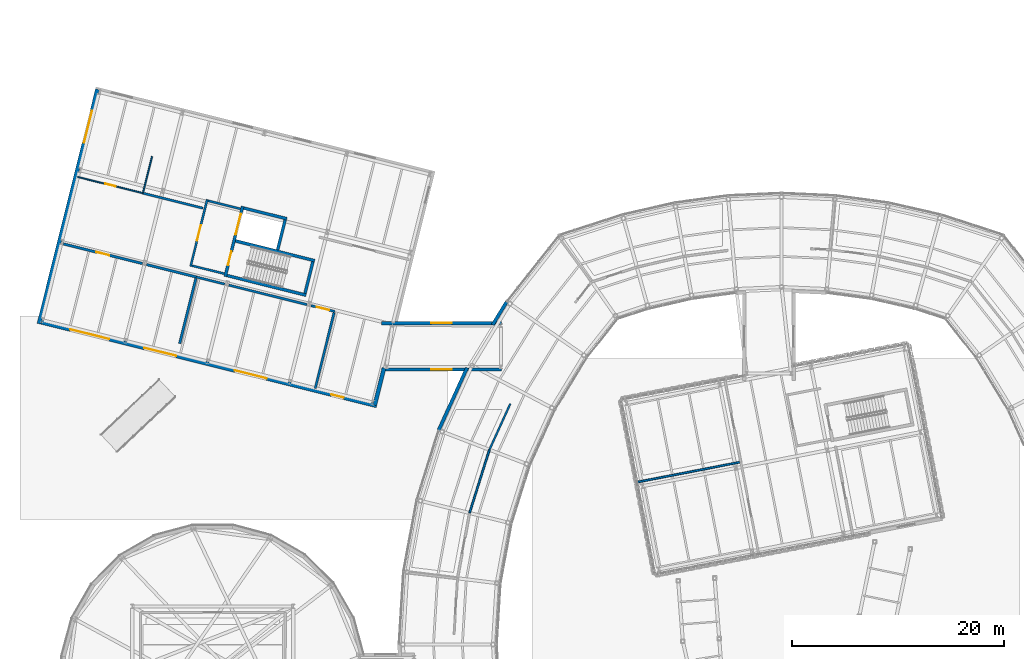
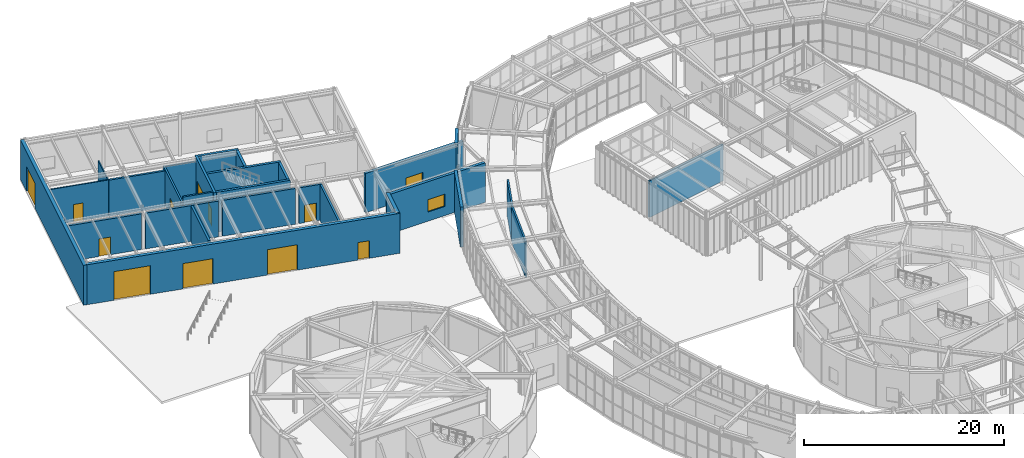
# One storey, part 75 of 97: 29 walls, 11 doors, 2 windows, 13 openings.
"""IFC4 building model written with IfcOpenShell, lengths in metres."""

from ifc_helpers import new_model, si_unit, direction, frame, frame_2d, origin, place, context, subcontext, project, spatial, rectangle, extrude, material, layer, layer_set, type_object, element, fill, save


model = new_model("IFC4")

# Units and contexts
model_context = context("Model", 3, precision=1e-05, world=origin(), true_north=direction((0.0, 1.0)))
body_context = subcontext(model_context, "Body", "Model", "MODEL_VIEW")
ifc_project = project(units=[si_unit("LENGTHUNIT", "METRE"), si_unit("AREAUNIT", "SQUARE_METRE"), si_unit("VOLUMEUNIT", "CUBIC_METRE"), si_unit("PLANEANGLEUNIT", "RADIAN"), si_unit("MASSUNIT", "GRAM", prefix="KILO")], contexts=[model_context])

# Site, building, storey
site_placement = place(None, origin())
site = spatial("IfcSite", under=ifc_project, at=site_placement, CompositionType="ELEMENT")
building_placement = place(site_placement, origin())
building = spatial("IfcBuilding", under=site, at=building_placement, Name="Varnklinge Art Gallery", CompositionType="ELEMENT")
storey_placement = place(building_placement, origin())
storey = spatial("IfcBuildingStorey", under=building, at=storey_placement, Name="L00", CompositionType="ELEMENT", Elevation=0.0)

# Walls
ifc_material_1 = material(Name="Precast concrete C40/50", Category="concrete")
ifc_layer_1 = layer(ifc_material_1, 0.320068359375)
ifc_layer_set_1 = layer_set([ifc_layer_1], Name="Precast concrete C40/50")
wall_type_1 = type_object("IfcWallType", Name="EW-32", PredefinedType="SOLIDWALL", material=ifc_layer_set_1)
wall_1_placement = place(storey_placement, frame((48.223388671875, 85.179931640625, 0.0), z_axis=(0.0, 0.0, 1.0), x_axis=(0.520931481082, 0.853598495792, 0.0)))
element("IfcWall", 1, at=wall_1_placement, inside=storey, type_object=wall_type_1, Name="EW-V2O-L00-K21-1", PredefinedType="SOLIDWALL", context=body_context, shape_type="SweptSolid", body=[
    extrude(rectangle(XDim=2.571533203125, YDim=0.320068359375, at=frame_2d((1.28564453125, 0.0))), origin(), (0.0, 0.0, 1.0), 4.8798828125),
])
wall_2_placement = place(storey_placement, frame((43.126708984375, 75.22216796875, 0.0), z_axis=(0.0, 0.0, 1.0), x_axis=(0.41336840626, 0.910563869647, 0.0)))
element("IfcWall", 2, at=wall_2_placement, inside=storey, type_object=wall_type_1, Name="EW-V2O-L00-K22-1", PredefinedType="SOLIDWALL", context=body_context, shape_type="SweptSolid", body=[
    extrude(rectangle(XDim=6.477294921875, YDim=0.320068359375, at=frame_2d((3.23876953125, 0.0))), origin(), (0.0, 0.0, 1.0), 4.8798828125),
])

# Wall, opening, window
wall_3_placement = place(storey_placement, frame((49.050048828125, 80.9599609375, 0.0), z_axis=(0.0, 0.0, 1.0), x_axis=(-1.0, 0.0, 0.0)))
wall_3 = element("IfcWall", 3, at=wall_3_placement, inside=storey, type_object=wall_type_1, Name="L00 Gallery Link Wall EW-LNK-V5-L00-S", PredefinedType="SOLIDWALL", context=body_context, shape_type="SweptSolid", body=[
    extrude(rectangle(XDim=11.31201171875, YDim=0.320068359375, at=frame_2d((5.656005859375, 0.0))), origin(), (0.0, 0.0, 1.0), 4.820068359375),
])
opening_1_placement = place(wall_3_placement, frame((4.680908203125, 0.0, 1.1201171875)))
opening_1 = element("IfcOpeningElement", 4, at=opening_1_placement, cuts=wall_3, Name="Opening WN-05", PredefinedType="OPENING", context=body_context, shape_type="SweptSolid", body=[
    extrude(rectangle(XDim=1.949951171875, YDim=1.5, at=frame_2d((0.97509765625, 0.75))), frame((0.0, 0.170166015625, 0.0), z_axis=(0.0, -1.0, 0.0), x_axis=(1.0, 0.0, 0.0)), (0.0, 0.0, 1.0), 0.340087890625),
])
ifc_material_2 = material(Name="Insulated Low-E Triple Glazing", Category="glass")
window_type = type_object("IfcWindowType", Name="WN-05", PartitioningType="SINGLE_PANEL", PredefinedType="WINDOW", material=ifc_material_2)
window_1_placement = place(opening_1_placement, origin())
window_1 = element("IfcWindow", 5, at=window_1_placement, inside=storey, type_object=window_type, Name="L00 Window WIN-L00-229", OverallHeight=1.5, OverallWidth=1.949951171875, PartitioningType="SINGLE_PANEL", PredefinedType="WINDOW", context=body_context, shape_type="SweptSolid", body=[
    extrude(rectangle(XDim=1.949951171875, YDim=1.5, at=frame_2d((0.97509765625, 0.75))), frame((0.0, 0.030029296875, 0.0), z_axis=(0.0, -1.0, 0.0), x_axis=(1.0, 0.0, 0.0)), (0.0, 0.0, 1.0), 0.06005859375),
])
fill(opening_1, window_1)

wall_4_placement = place(storey_placement, frame((37.738037109375, 85.340087890625, 0.0), z_axis=(0.0, 0.0, 1.0), x_axis=(1.0, 0.0, 0.0)))
wall_4 = element("IfcWall", 6, at=wall_4_placement, inside=storey, type_object=wall_type_1, Name="L00 Gallery Link Wall EW-LNK-V5-L00-N", PredefinedType="SOLIDWALL", context=body_context, shape_type="SweptSolid", body=[
    extrude(rectangle(XDim=11.31201171875, YDim=0.320068359375, at=frame_2d((5.656005859375, 0.0))), origin(), (0.0, 0.0, 1.0), 4.820068359375),
])
opening_2_placement = place(wall_4_placement, frame((4.680908203125, 0.0, 1.1201171875)))
opening_2 = element("IfcOpeningElement", 7, at=opening_2_placement, cuts=wall_4, Name="Opening WN-05", PredefinedType="OPENING", context=body_context, shape_type="SweptSolid", body=[
    extrude(rectangle(XDim=1.949951171875, YDim=1.5, at=frame_2d((0.97509765625, 0.75))), frame((0.0, 0.170166015625, 0.0), z_axis=(0.0, -1.0, 0.0), x_axis=(1.0, 0.0, 0.0)), (0.0, 0.0, 1.0), 0.340087890625),
])
window_2_placement = place(opening_2_placement, origin())
window_2 = element("IfcWindow", 8, at=window_2_placement, inside=storey, type_object=window_type, Name="L00 Window WIN-L00-230", OverallHeight=1.5, OverallWidth=1.949951171875, PartitioningType="SINGLE_PANEL", PredefinedType="WINDOW", context=body_context, shape_type="SweptSolid", body=[
    extrude(rectangle(XDim=1.949951171875, YDim=1.5, at=frame_2d((0.97509765625, 0.75))), frame((0.0, 0.030029296875, 0.0), z_axis=(0.0, -1.0, 0.0), x_axis=(1.0, 0.0, 0.0)), (0.0, 0.0, 1.0), 0.06005859375),
])
fill(opening_2, window_2)

# Wall, opening, door
ifc_material_3 = material(Name="Concrete C40/50", Category="concrete")
ifc_layer_2 = layer(ifc_material_3, 0.3798828125)
ifc_layer_set_2 = layer_set([ifc_layer_2], Name="Concrete C40/50")
wall_type_2 = type_object("IfcWallType", Name="EW-38", PredefinedType="SOLIDWALL", material=ifc_layer_set_2)
wall_5_placement = place(storey_placement, frame((5.392333984375, 85.287353515625, 0.0), z_axis=(0.0, 0.0, 1.0), x_axis=(0.241923607661, 0.970295299409, 0.0)))
wall_5 = element("IfcWall", 9, at=wall_5_placement, inside=storey, type_object=wall_type_2, Name="L00 Exterior Wall EW-V5-L00-01", PredefinedType="SOLIDWALL", context=body_context, shape_type="SweptSolid", body=[
    extrude(rectangle(XDim=22.81005859375, YDim=0.3798828125, at=frame_2d((11.405029296875, 0.0))), origin(), (0.0, 0.0, 1.0), 4.8798828125),
])
opening_3_placement = place(wall_5_placement, frame((17.610107421875, 0.0, 0.0)))
opening_3 = element("IfcOpeningElement", 10, at=opening_3_placement, cuts=wall_5, Name="Opening D-L00-E19", PredefinedType="OPENING", context=body_context, shape_type="SweptSolid", body=[
    extrude(rectangle(XDim=3.10009765625, YDim=3.10009765625, at=frame_2d((1.550048828125, 1.550048828125))), frame((0.0, 0.199951171875, 0.0), z_axis=(0.0, -1.0, 0.0), x_axis=(1.0, 0.0, 0.0)), (0.0, 0.0, 1.0), 0.39990234375),
])
ifc_material_4 = material(Name="Anodised Aluminium", Category="aluminium")
door_type_1 = type_object("IfcDoorType", Name="GD-SH2", OperationType="ROLLINGUP", PredefinedType="GATE", material=ifc_material_4)
door_1_placement = place(opening_3_placement, origin())
door_1 = element("IfcDoor", 11, at=door_1_placement, inside=storey, type_object=door_type_1, Name="L00 Plant Equipment Service Gate D-L00-E19", OperationType="ROLLINGUP", OverallHeight=3.10009765625, OverallWidth=3.10009765625, PredefinedType="GATE", context=body_context, shape_type="SweptSolid", body=[
    extrude(rectangle(XDim=3.10009765625, YDim=3.10009765625, at=frame_2d((1.550048828125, 1.550048828125))), frame((0.0, 0.02490234375, 0.0), z_axis=(0.0, -1.0, 0.0), x_axis=(1.0, 0.0, 0.0)), (0.0, 0.0, 1.0), 0.050048828125),
])
fill(opening_3, door_1)

# Wall
wall_6_placement = place(storey_placement, frame((37.971923828125, 81.1201171875, 0.0), z_axis=(0.0, 0.0, 1.0), x_axis=(-0.241905764761, -0.970299748003, 0.0)))
element("IfcWall", 12, at=wall_6_placement, inside=storey, type_object=wall_type_2, Name="L00 Exterior Wall EW-V5-L00-04", PredefinedType="SOLIDWALL", context=body_context, shape_type="SweptSolid", body=[
    extrude(rectangle(XDim=3.6484375, YDim=0.3798828125, at=frame_2d((1.82421875, 0.0))), origin(), (0.0, 0.0, 1.0), 4.8798828125),
])

# Wall, openings, doors
wall_7_placement = place(storey_placement, frame((37.273681640625, 77.5341796875, 0.0), z_axis=(0.0, 0.0, 1.0), x_axis=(-0.970295504299, 0.2419227859, 0.0)))
wall_7 = element("IfcWall", 13, at=wall_7_placement, inside=storey, type_object=wall_type_2, Name="L00 Exterior Wall EW-V5-L00-05", PredefinedType="SOLIDWALL", context=body_context, shape_type="SweptSolid", body=[
    extrude(rectangle(XDim=32.81005859375, YDim=0.3798828125, at=frame_2d((16.405029296875, 0.0))), origin(), (0.0, 0.0, 1.0), 4.8798828125),
])
opening_4_placement = place(wall_7_placement, frame((3.199951171875, 0.0, 0.0)))
opening_4 = element("IfcOpeningElement", 14, at=opening_4_placement, cuts=wall_7, Name="Opening D-L00-E20", PredefinedType="OPENING", context=body_context, shape_type="SweptSolid", body=[
    extrude(rectangle(XDim=1.199951171875, YDim=2.14990234375, at=frame_2d((0.60009765625, 1.074951171875))), frame((0.0, 0.199951171875, 0.0), z_axis=(0.0, -1.0, 0.0), x_axis=(1.0, 0.0, 0.0)), (0.0, 0.0, 1.0), 0.39990234375),
])
opening_5_placement = place(wall_7_placement, frame((10.699951171875, 0.0, 0.0)))
opening_5 = element("IfcOpeningElement", 15, at=opening_5_placement, cuts=wall_7, Name="Opening D-L00-E21", PredefinedType="OPENING", context=body_context, shape_type="SweptSolid", body=[
    extrude(rectangle(XDim=3.10009765625, YDim=3.10009765625, at=frame_2d((1.550048828125, 1.550048828125))), frame((0.0, 0.199951171875, 0.0), z_axis=(0.0, -1.0, 0.0), x_axis=(1.0, 0.0, 0.0)), (0.0, 0.0, 1.0), 0.39990234375),
])
opening_6_placement = place(wall_7_placement, frame((19.5, 0.0, 0.0)))
opening_6 = element("IfcOpeningElement", 16, at=opening_6_placement, cuts=wall_7, Name="Opening D-L00-E22", PredefinedType="OPENING", context=body_context, shape_type="SweptSolid", body=[
    extrude(rectangle(XDim=3.10009765625, YDim=3.10009765625, at=frame_2d((1.550048828125, 1.550048828125))), frame((0.0, 0.199951171875, 0.0), z_axis=(0.0, -1.0, 0.0), x_axis=(1.0, 0.0, 0.0)), (0.0, 0.0, 1.0), 0.39990234375),
])
opening_7_placement = place(wall_7_placement, frame((26.010009765625, 0.0, 0.0)))
opening_7 = element("IfcOpeningElement", 17, at=opening_7_placement, cuts=wall_7, Name="Opening D-L00-E23", PredefinedType="OPENING", context=body_context, shape_type="SweptSolid", body=[
    extrude(rectangle(XDim=3.800048828125, YDim=3.5, at=frame_2d((1.89990234375, 1.75))), frame((0.0, 0.199951171875, 0.0), z_axis=(0.0, -1.0, 0.0), x_axis=(1.0, 0.0, 0.0)), (0.0, 0.0, 1.0), 0.39990234375),
])
ifc_material_5 = material(Name="Anodised Aluminium", Category="aluminium")
door_type_2 = type_object("IfcDoorType", Name="ED-04", OperationType="SINGLE_SWING_LEFT", PredefinedType="DOOR", material=ifc_material_5)
door_2_placement = place(opening_4_placement, origin())
door_2 = element("IfcDoor", 18, at=door_2_placement, inside=storey, type_object=door_type_2, Name="L00 Conservation Logistics Final Exit Door D-L00-E20", OperationType="SINGLE_SWING_LEFT", OverallHeight=2.14990234375, OverallWidth=1.199951171875, PredefinedType="DOOR", context=body_context, shape_type="SweptSolid", body=[
    extrude(rectangle(XDim=1.199951171875, YDim=2.14990234375, at=frame_2d((0.60009765625, 1.074951171875))), frame((0.0, 0.02490234375, 0.0), z_axis=(0.0, -1.0, 0.0), x_axis=(1.0, 0.0, 0.0)), (0.0, 0.0, 1.0), 0.050048828125),
])
fill(opening_4, door_2)
ifc_material_6 = material(Name="Anodised Aluminium", Category="aluminium")
door_type_3 = type_object("IfcDoorType", Name="GD-SH1", OperationType="ROLLINGUP", PredefinedType="GATE", material=ifc_material_6)
door_3_placement = place(opening_7_placement, origin())
door_3 = element("IfcDoor", 19, at=door_3_placement, inside=storey, type_object=door_type_3, Name="L00 Art Truck Loading Dock Roller Shutter D-L00-E23", OperationType="ROLLINGUP", OverallHeight=3.5, OverallWidth=3.800048828125, PredefinedType="GATE", context=body_context, shape_type="SweptSolid", body=[
    extrude(rectangle(XDim=3.800048828125, YDim=3.5, at=frame_2d((1.89990234375, 1.75))), frame((0.0, 0.02490234375, 0.0), z_axis=(0.0, -1.0, 0.0), x_axis=(1.0, 0.0, 0.0)), (0.0, 0.0, 1.0), 0.050048828125),
])
fill(opening_7, door_3)
door_4_placement = place(opening_5_placement, origin())
door_4 = element("IfcDoor", 20, at=door_4_placement, inside=storey, type_object=door_type_1, Name="L00 Acclimatisation Service Shutter D-L00-E21", OperationType="ROLLINGUP", OverallHeight=3.10009765625, OverallWidth=3.10009765625, PredefinedType="GATE", context=body_context, shape_type="SweptSolid", body=[
    extrude(rectangle(XDim=3.10009765625, YDim=3.10009765625, at=frame_2d((1.550048828125, 1.550048828125))), frame((0.0, 0.02490234375, 0.0), z_axis=(0.0, -1.0, 0.0), x_axis=(1.0, 0.0, 0.0)), (0.0, 0.0, 1.0), 0.050048828125),
])
fill(opening_5, door_4)
door_5_placement = place(opening_6_placement, origin())
door_5 = element("IfcDoor", 21, at=door_5_placement, inside=storey, type_object=door_type_1, Name="L00 Loading Bay Auxiliary Shutter D-L00-E22", OperationType="ROLLINGUP", OverallHeight=3.10009765625, OverallWidth=3.10009765625, PredefinedType="GATE", context=body_context, shape_type="SweptSolid", body=[
    extrude(rectangle(XDim=3.10009765625, YDim=3.10009765625, at=frame_2d((1.550048828125, 1.550048828125))), frame((0.0, 0.02490234375, 0.0), z_axis=(0.0, -1.0, 0.0), x_axis=(1.0, 0.0, 0.0)), (0.0, 0.0, 1.0), 0.050048828125),
])
fill(opening_6, door_5)

# Wall, opening, door
ifc_material_7 = material(Name="Gypsum Board Partition", Category="gypsum")
ifc_layer_3 = layer(ifc_material_7, 0.1201171875)
ifc_layer_set_3 = layer_set([ifc_layer_3], Name="Gypsum Board Partition")
wall_type_3 = type_object("IfcWallType", Name="IW-12", PredefinedType="PARTITIONING", material=ifc_layer_set_3)
wall_8_placement = place(storey_placement, frame((9.04736328125, 99.144775390625, 0.0), z_axis=(0.0, 0.0, 1.0), x_axis=(0.970298449516, -0.241910973021, 0.0)))
wall_8 = element("IfcWall", 22, at=wall_8_placement, inside=storey, type_object=wall_type_3, Name="L00 Partition Wall IW-L00-0108", PredefinedType="PARTITIONING", context=body_context, shape_type="SweptSolid", body=[
    extrude(rectangle(XDim=6.345947265625, YDim=0.1201171875, at=frame_2d((3.1728515625, 0.0))), origin(), (0.0, 0.0, 1.0), 4.419921875),
])
opening_8_placement = place(wall_8_placement, frame((2.6630859375, 0.0, 0.0)))
opening_8 = element("IfcOpeningElement", 23, at=opening_8_placement, cuts=wall_8, Name="Opening D-L00-164", PredefinedType="OPENING", context=body_context, shape_type="SweptSolid", body=[
    extrude(rectangle(XDim=1.02001953125, YDim=2.1201171875, at=frame_2d((0.510009765625, 1.06005859375))), frame((0.0, 0.070068359375, 0.0), z_axis=(0.0, -1.0, 0.0), x_axis=(1.0, 0.0, 0.0)), (0.0, 0.0, 1.0), 0.14013671875),
])
ifc_material_8 = material(Name="Oak Timber Leaf", Category="wood")
door_type_4 = type_object("IfcDoorType", Name="ID-03", OperationType="SINGLE_SWING_LEFT", PredefinedType="DOOR", material=ifc_material_8)
door_6_placement = place(opening_8_placement, origin())
door_6 = element("IfcDoor", 24, at=door_6_placement, inside=storey, type_object=door_type_4, Name="L00 L00 Staff Accessible WC Door D-L00-164", OperationType="SINGLE_SWING_RIGHT", OverallHeight=2.1201171875, OverallWidth=1.02001953125, PredefinedType="DOOR", context=body_context, shape_type="SweptSolid", body=[
    extrude(rectangle(XDim=1.02001953125, YDim=2.1201171875, at=frame_2d((0.510009765625, 1.06005859375))), frame((0.0, 0.02490234375, 0.0), z_axis=(0.0, -1.0, 0.0), x_axis=(1.0, 0.0, 0.0)), (0.0, 0.0, 1.0), 0.050048828125),
])
fill(opening_8, door_6)

# Walls
wall_9_placement = place(storey_placement, frame((16.068603515625, 101.073486328125, 0.0), z_axis=(0.0, 0.0, 1.0), x_axis=(-0.241976747044, -0.970282048628, 0.0)))
element("IfcWall", 25, at=wall_9_placement, inside=storey, type_object=wall_type_3, Name="L00 Partition Wall IW-L00-0150", PredefinedType="PARTITIONING", context=body_context, shape_type="SweptSolid", body=[
    extrude(rectangle(XDim=3.494873046875, YDim=0.1201171875, at=frame_2d((1.74755859375, 0.0))), origin(), (0.0, 0.0, 1.0), 4.3701171875),
])
ifc_material_9 = material(Name="Gypsum Board Partition", Category="gypsum")
ifc_layer_4 = layer(ifc_material_9, 0.179931640625)
ifc_layer_set_4 = layer_set([ifc_layer_4], Name="Gypsum Board Partition")
wall_type_4 = type_object("IfcWallType", Name="IW-18", PredefinedType="PARTITIONING", material=ifc_layer_set_4)
wall_10_placement = place(storey_placement, frame((46.04248046875, 67.41455078125, 0.0), z_axis=(0.0, 0.0, 1.0), x_axis=(0.299731275576, 0.954023669749, 0.0)))
element("IfcWall", 26, at=wall_10_placement, inside=storey, type_object=wall_type_4, Name="L00 Partition Wall IW-L00-0076", PredefinedType="PARTITIONING", context=body_context, shape_type="SweptSolid", body=[
    extrude(rectangle(XDim=6.260498046875, YDim=0.179931640625, at=frame_2d((3.13037109375, 0.0))), origin(), (0.0, 0.0, 1.0), 4.3701171875),
])
wall_11_placement = place(storey_placement, frame((47.9189453125, 73.38720703125, 0.0), z_axis=(0.0, 0.0, 1.0), x_axis=(0.413359365272, 0.910567973927, 0.0)))
element("IfcWall", 27, at=wall_11_placement, inside=storey, type_object=wall_type_4, Name="L00 Partition Wall IW-L00-0077", PredefinedType="PARTITIONING", context=body_context, shape_type="SweptSolid", body=[
    extrude(rectangle(XDim=4.769287109375, YDim=0.179931640625, at=frame_2d((2.384765625, 0.0))), origin(), (0.0, 0.0, 1.0), 4.3701171875),
])
wall_12_placement = place(storey_placement, frame((71.547607421875, 72.21044921875, 0.0), z_axis=(0.0, 0.0, 1.0), x_axis=(-0.981627297685, -0.190808407676, 0.0)))
element("IfcWall", 28, at=wall_12_placement, inside=storey, type_object=wall_type_4, Name="L00 Partition Wall IW-L00-0149", PredefinedType="PARTITIONING", context=body_context, shape_type="SweptSolid", body=[
    extrude(rectangle(XDim=9.815185546875, YDim=0.179931640625, at=frame_2d((4.90771484375, 0.0))), origin(), (0.0, 0.0, 1.0), 4.469970703125),
])
ifc_material_10 = material(Name="Concrete C40/50", Category="concrete")
ifc_layer_5 = layer(ifc_material_10, 0.199951171875)
ifc_layer_set_5 = layer_set([ifc_layer_5], Name="Concrete C40/50")
wall_type_5 = type_object("IfcWallType", Name="IW-20", PredefinedType="PARTITIONING", material=ifc_layer_set_5)
wall_13_placement = place(storey_placement, frame((19.824462890625, 90.770263671875, 0.0), z_axis=(0.0, 0.0, 1.0), x_axis=(0.970306396763, -0.241879094592, 0.0)))
element("IfcWall", 29, at=wall_13_placement, inside=storey, type_object=wall_type_5, Name="L00 Core C4 Lobby South Wall", PredefinedType="PARTITIONING", context=body_context, shape_type="SweptSolid", body=[
    extrude(rectangle(XDim=3.150146484375, YDim=0.199951171875, at=frame_2d((1.5751953125, 0.0))), origin(), (0.0, 0.0, 1.0), 4.8798828125),
])
wall_14_placement = place(storey_placement, frame((24.407470703125, 96.130859375, 0.0), z_axis=(0.0, 0.0, 1.0), x_axis=(-0.970301862046, 0.241897285042, 0.0)))
element("IfcWall", 30, at=wall_14_placement, inside=storey, type_object=wall_type_5, Name="L00 Core C4 Lobby North Wall", PredefinedType="PARTITIONING", context=body_context, shape_type="SweptSolid", body=[
    extrude(rectangle(XDim=3.14990234375, YDim=0.199951171875, at=frame_2d((1.574951171875, 0.0))), origin(), (0.0, 0.0, 1.0), 4.3701171875),
])

# Wall, opening, door
wall_15_placement = place(storey_placement, frame((19.703369140625, 90.697509765625, 0.0), z_axis=(0.0, 0.0, 1.0), x_axis=(0.24192671796, 0.970294523914, 0.0)))
wall_15 = element("IfcWall", 31, at=wall_15_placement, inside=storey, type_object=wall_type_5, Name="L00 Core C4 Lobby Corridor Wall", PredefinedType="PARTITIONING", context=body_context, shape_type="SweptSolid", body=[
    extrude(rectangle(XDim=6.510009765625, YDim=0.199951171875, at=frame_2d((3.2548828125, 0.0))), origin(), (0.0, 0.0, 1.0), 4.3701171875),
])
opening_9_placement = place(wall_15_placement, frame((2.514892578125, 0.0, 0.0)))
opening_9 = element("IfcOpeningElement", 32, at=opening_9_placement, cuts=wall_15, Name="Opening D-L00-066", PredefinedType="OPENING", context=body_context, shape_type="SweptSolid", body=[
    extrude(rectangle(XDim=1.47998046875, YDim=2.14990234375, at=frame_2d((0.739990234375, 1.074951171875))), frame((0.0, 0.110107421875, 0.0), z_axis=(0.0, -1.0, 0.0), x_axis=(1.0, 0.0, 0.0)), (0.0, 0.0, 1.0), 0.219970703125),
])
ifc_material_11 = material(Name="Galvanised Fire-Rated Steel", Category="steel")
door_type_5 = type_object("IfcDoorType", Name="ID-LB1", OperationType="DOUBLE_DOOR_SINGLE_SWING", PredefinedType="DOOR", material=ifc_material_11)
door_7_placement = place(opening_9_placement, origin())
door_7 = element("IfcDoor", 33, at=door_7_placement, inside=storey, type_object=door_type_5, Name="L00 Core C4 Protected Lobby Door D-L00-066", OperationType="DOUBLE_DOOR_SINGLE_SWING", OverallHeight=2.14990234375, OverallWidth=1.47998046875, PredefinedType="DOOR", context=body_context, shape_type="SweptSolid", body=[
    extrude(rectangle(XDim=1.47998046875, YDim=2.14990234375, at=frame_2d((0.739990234375, 1.074951171875))), frame((0.0, 0.02490234375, 0.0), z_axis=(0.0, -1.0, 0.0), x_axis=(1.0, 0.0, 0.0)), (0.0, 0.0, 1.0), 0.050048828125),
])
fill(opening_9, door_7)

# Walls
ifc_material_12 = material(Name="Concrete C40/50", Category="concrete")
ifc_layer_6 = layer(ifc_material_12, 0.219970703125)
ifc_layer_set_6 = layer_set([ifc_layer_6], Name="Concrete C40/50")
wall_type_6 = type_object("IfcWallType", Name="IW-22", PredefinedType="PARTITIONING", material=ifc_layer_set_6)
wall_16_placement = place(storey_placement, frame((30.688720703125, 87.09130859375, 0.0), z_axis=(0.0, 0.0, 1.0), x_axis=(-0.970295427473, 0.241923094029, 0.0)))
element("IfcWall", 34, at=wall_16_placement, inside=storey, type_object=wall_type_6, Name="L00 Partition Wall IW-L00-0111", PredefinedType="PARTITIONING", context=body_context, shape_type="SweptSolid", body=[
    extrude(rectangle(XDim=7.596923828125, YDim=0.219970703125, at=frame_2d((3.79833984375, 0.0))), origin(), (0.0, 0.0, 1.0), 4.3701171875),
])
wall_17_placement = place(storey_placement, frame((22.926513671875, 89.026611328125, 0.0), z_axis=(0.0, 0.0, 1.0), x_axis=(-0.97030825466, 0.241871641452, 0.0)))
element("IfcWall", 35, at=wall_17_placement, inside=storey, type_object=wall_type_6, Name="L00 Partition Wall IW-L00-0112", PredefinedType="PARTITIONING", context=body_context, shape_type="SweptSolid", body=[
    extrude(rectangle(XDim=2.768798828125, YDim=0.219970703125, at=frame_2d((1.38427734375, 0.0))), origin(), (0.0, 0.0, 1.0), 4.3701171875),
])

# Wall, opening, door
wall_18_placement = place(storey_placement, frame((33.339111328125, 86.430419921875, 0.0), z_axis=(0.0, 0.0, 1.0), x_axis=(-0.970308784597, 0.241869515512, 0.0)))
wall_18 = element("IfcWall", 36, at=wall_18_placement, inside=storey, type_object=wall_type_6, Name="L00 Partition Wall IW-L00-0113", PredefinedType="PARTITIONING", context=body_context, shape_type="SweptSolid", body=[
    extrude(rectangle(XDim=2.32861328125, YDim=0.219970703125, at=frame_2d((1.164306640625, 0.0))), origin(), (0.0, 0.0, 1.0), 4.3701171875),
])
opening_10_placement = place(wall_18_placement, frame((0.544189453125, 0.0, 0.0)))
opening_10 = element("IfcOpeningElement", 37, at=opening_10_placement, cuts=wall_18, Name="Opening D-L00-166", PredefinedType="OPENING", context=body_context, shape_type="SweptSolid", body=[
    extrude(rectangle(XDim=1.239990234375, YDim=2.14990234375, at=frame_2d((0.6201171875, 1.074951171875))), frame((0.0, 0.119873046875, 0.0), z_axis=(0.0, -1.0, 0.0), x_axis=(1.0, 0.0, 0.0)), (0.0, 0.0, 1.0), 0.239990234375),
])
ifc_material_13 = material(Name="Galvanised Fire-Rated Steel", Category="steel")
door_type_6 = type_object("IfcDoorType", Name="ID-06", OperationType="SINGLE_SWING_RIGHT", PredefinedType="DOOR", material=ifc_material_13)
door_8_placement = place(opening_10_placement, origin())
door_8 = element("IfcDoor", 38, at=door_8_placement, inside=storey, type_object=door_type_6, Name="L00 L00 Quarantine and Acclimatisation Hall Door D-L00-166", OperationType="SINGLE_SWING_RIGHT", OverallHeight=2.14990234375, OverallWidth=1.239990234375, PredefinedType="DOOR", context=body_context, shape_type="SweptSolid", body=[
    extrude(rectangle(XDim=1.239990234375, YDim=2.14990234375, at=frame_2d((0.6201171875, 1.074951171875))), frame((0.0, 0.02490234375, 0.0), z_axis=(0.0, -1.0, 0.0), x_axis=(1.0, 0.0, 0.0)), (0.0, 0.0, 1.0), 0.050048828125),
])
fill(opening_10, door_8)

# Walls
wall_19_placement = place(storey_placement, frame((15.204833984375, 97.609619140625, 0.0), z_axis=(0.0, 0.0, 1.0), x_axis=(0.970294852546, -0.241925399911, 0.0)))
element("IfcWall", 39, at=wall_19_placement, inside=storey, type_object=wall_type_6, Name="L00 Partition Wall IW-L00-0115", PredefinedType="PARTITIONING", context=body_context, shape_type="SweptSolid", body=[
    extrude(rectangle(XDim=5.8369140625, YDim=0.219970703125, at=frame_2d((2.91845703125, 0.0))), origin(), (0.0, 0.0, 1.0), 4.419921875),
])
wall_20_placement = place(storey_placement, frame((31.4697265625, 79.18115234375, 0.0), z_axis=(0.0, 0.0, 1.0), x_axis=(0.241919062701, 0.970296432592, 0.0)))
element("IfcWall", 40, at=wall_20_placement, inside=storey, type_object=wall_type_6, Name="L00 Partition Wall IW-L00-0116", PredefinedType="PARTITIONING", context=body_context, shape_type="SweptSolid", body=[
    extrude(rectangle(XDim=7.361083984375, YDim=0.219970703125, at=frame_2d((3.6806640625, 0.0))), origin(), (0.0, 0.0, 1.0), 4.3701171875),
])

# Wall, opening, door
ifc_material_14 = material(Name="Concrete C40/50", Category="concrete")
ifc_layer_7 = layer(ifc_material_14, 0.239990234375)
ifc_layer_set_7 = layer_set([ifc_layer_7], Name="Concrete C40/50")
wall_type_7 = type_object("IfcWallType", Name="IW-24", PredefinedType="PARTITIONING", material=ifc_layer_set_7)
wall_21_placement = place(storey_placement, frame((15.1640625, 90.9619140625, 0.0), z_axis=(0.0, 0.0, 1.0), x_axis=(-0.970289717068, 0.24194599594, 0.0)))
wall_21 = element("IfcWall", 41, at=wall_21_placement, inside=storey, type_object=wall_type_7, Name="L00 Partition Wall IW-L00-0109", PredefinedType="PARTITIONING", context=body_context, shape_type="SweptSolid", body=[
    extrude(rectangle(XDim=7.697265625, YDim=0.239990234375, at=frame_2d((3.8486328125, 0.0))), origin(), (0.0, 0.0, 1.0), 4.3701171875),
])
opening_11_placement = place(wall_21_placement, frame((3.228515625, 0.0, 0.0)))
opening_11 = element("IfcOpeningElement", 42, at=opening_11_placement, cuts=wall_21, Name="Opening D-L00-165", PredefinedType="OPENING", context=body_context, shape_type="SweptSolid", body=[
    extrude(rectangle(XDim=1.239990234375, YDim=2.14990234375, at=frame_2d((0.6201171875, 1.074951171875))), frame((0.0, 0.130126953125, 0.0), z_axis=(0.0, -1.0, 0.0), x_axis=(1.0, 0.0, 0.0)), (0.0, 0.0, 1.0), 0.260009765625),
])
door_9_placement = place(opening_11_placement, origin())
door_9 = element("IfcDoor", 43, at=door_9_placement, inside=storey, type_object=door_type_6, Name="L00 L00 Loading Dock Door D-L00-165", OperationType="SINGLE_SWING_LEFT", OverallHeight=2.14990234375, OverallWidth=1.239990234375, PredefinedType="DOOR", context=body_context, shape_type="SweptSolid", body=[
    extrude(rectangle(XDim=1.239990234375, YDim=2.14990234375, at=frame_2d((0.6201171875, 1.074951171875))), frame((0.0, 0.02490234375, 0.0), z_axis=(0.0, -1.0, 0.0), x_axis=(1.0, 0.0, 0.0)), (0.0, 0.0, 1.0), 0.050048828125),
])
fill(opening_11, door_9)

# Walls
wall_22_placement = place(storey_placement, frame((20.239990234375, 89.6962890625, 0.0), z_axis=(0.0, 0.0, 1.0), x_axis=(-0.970291030499, 0.241940728553, 0.0)))
element("IfcWall", 44, at=wall_22_placement, inside=storey, type_object=wall_type_7, Name="L00 Partition Wall IW-L00-0110", PredefinedType="PARTITIONING", context=body_context, shape_type="SweptSolid", body=[
    extrude(rectangle(XDim=4.82861328125, YDim=0.239990234375, at=frame_2d((2.414306640625, 0.0))), origin(), (0.0, 0.0, 1.0), 4.3701171875),
])
wall_23_placement = place(storey_placement, frame((20.20751953125, 89.5654296875, 0.0), z_axis=(0.0, 0.0, 1.0), x_axis=(-0.241937117418, -0.970291930924, 0.0)))
element("IfcWall", 45, at=wall_23_placement, inside=storey, type_object=wall_type_7, Name="L00 Partition Wall IW-L00-0151", PredefinedType="PARTITIONING", context=body_context, shape_type="SweptSolid", body=[
    extrude(rectangle(XDim=6.335205078125, YDim=0.239990234375, at=frame_2d((3.16748046875, 0.0))), origin(), (0.0, 0.0, 1.0), 4.3701171875),
])
ifc_material_15 = material(Name="Concrete C40/50", Category="concrete")
ifc_layer_8 = layer(ifc_material_15, 0.280029296875)
ifc_layer_set_8 = layer_set([ifc_layer_8], Name="Concrete C40/50")
wall_type_8 = type_object("IfcWallType", Name="SW-28", PredefinedType="SHEAR", material=ifc_layer_set_8)
wall_24_placement = place(storey_placement, frame((23.13818359375, 89.841064453125, 0.0), z_axis=(0.0, 0.0, 1.0), x_axis=(0.970295246537, -0.24192381972, 0.0)))
element("IfcWall", 46, at=wall_24_placement, inside=storey, type_object=wall_type_8, Name="L00 Core C4 South Shear Wall", PredefinedType="SHEAR", context=body_context, shape_type="SweptSolid", body=[
    extrude(rectangle(XDim=7.699951171875, YDim=0.280029296875, at=frame_2d((3.85009765625, 0.0))), origin(), (0.0, 0.0, 1.0), 4.8798828125),
])
wall_25_placement = place(storey_placement, frame((30.507568359375, 88.14794921875, 0.0), z_axis=(0.0, 0.0, 1.0), x_axis=(0.241920098373, 0.970296174373, 0.0)))
element("IfcWall", 47, at=wall_25_placement, inside=storey, type_object=wall_type_8, Name="L00 Core C4 East Shear Wall", PredefinedType="SHEAR", context=body_context, shape_type="SweptSolid", body=[
    extrude(rectangle(XDim=3.080078125, YDim=0.280029296875, at=frame_2d((1.5400390625, 0.0))), origin(), (0.0, 0.0, 1.0), 4.8798828125),
])
wall_26_placement = place(storey_placement, frame((31.42236328125, 91.238525390625, 0.0), z_axis=(0.0, 0.0, 1.0), x_axis=(-0.970297102167, 0.241916377137, 0.0)))
element("IfcWall", 48, at=wall_26_placement, inside=storey, type_object=wall_type_8, Name="L00 Core C4 Dividing Shear Wall", PredefinedType="SHEAR", context=body_context, shape_type="SweptSolid", body=[
    extrude(rectangle(XDim=7.7001953125, YDim=0.280029296875, at=frame_2d((3.85009765625, 0.0))), origin(), (0.0, 0.0, 1.0), 4.8798828125),
])
wall_27_placement = place(storey_placement, frame((27.92431640625, 92.2548828125, 0.0), z_axis=(0.0, 0.0, 1.0), x_axis=(0.241886356621, 0.970304586447, 0.0)))
element("IfcWall", 49, at=wall_27_placement, inside=storey, type_object=wall_type_8, Name="L00 Core C4 Lift East Shear Wall", PredefinedType="SHEAR", context=body_context, shape_type="SweptSolid", body=[
    extrude(rectangle(XDim=2.919921875, YDim=0.280029296875, at=frame_2d((1.4599609375, 0.0))), origin(), (0.0, 0.0, 1.0), 4.8798828125),
])
wall_28_placement = place(storey_placement, frame((28.80029296875, 95.190185546875, 0.0), z_axis=(0.0, 0.0, 1.0), x_axis=(-0.970292765557, 0.241933770084, 0.0)))
element("IfcWall", 50, at=wall_28_placement, inside=storey, type_object=wall_type_8, Name="L00 Core C4 Lift North Shear Wall", PredefinedType="SHEAR", context=body_context, shape_type="SweptSolid", body=[
    extrude(rectangle(XDim=4.199951171875, YDim=0.280029296875, at=frame_2d((2.10009765625, 0.0))), origin(), (0.0, 0.0, 1.0), 4.8798828125),
])

# Wall, openings, doors
wall_29_placement = place(storey_placement, frame((24.623291015625, 96.3759765625, 0.0), z_axis=(0.0, 0.0, 1.0), x_axis=(-0.241922508616, -0.970295573434, 0.0)))
wall_29 = element("IfcWall", 51, at=wall_29_placement, inside=storey, type_object=wall_type_8, Name="L00 Core C4 Front Shear Wall", PredefinedType="SHEAR", context=body_context, shape_type="SweptSolid", body=[
    extrude(rectangle(XDim=6.840087890625, YDim=0.280029296875, at=frame_2d((3.419921875, 0.0))), origin(), (0.0, 0.0, 1.0), 4.8798828125),
])
opening_12_placement = place(wall_29_placement, frame((0.75, 0.0, 0.0)))
opening_12 = element("IfcOpeningElement", 52, at=opening_12_placement, cuts=wall_29, Name="Opening LD-L00-064", PredefinedType="OPENING", context=body_context, shape_type="SweptSolid", body=[
    extrude(rectangle(XDim=2.0, YDim=2.300048828125, at=frame_2d((1.0, 1.14990234375))), frame((0.0, 0.150146484375, 0.0), z_axis=(0.0, -1.0, 0.0), x_axis=(1.0, 0.0, 0.0)), (0.0, 0.0, 1.0), 0.300048828125),
])
opening_13_placement = place(wall_29_placement, frame((4.39990234375, 0.0, 0.0)))
opening_13 = element("IfcOpeningElement", 53, at=opening_13_placement, cuts=wall_29, Name="Opening D-L00-065", PredefinedType="OPENING", context=body_context, shape_type="SweptSolid", body=[
    extrude(rectangle(XDim=1.320068359375, YDim=2.1201171875, at=frame_2d((0.66015625, 1.06005859375))), frame((0.0, 0.150146484375, 0.0), z_axis=(0.0, -1.0, 0.0), x_axis=(1.0, 0.0, 0.0)), (0.0, 0.0, 1.0), 0.300048828125),
])
ifc_material_16 = material(Name="Galvanised Fire-Rated Steel", Category="steel")
door_type_7 = type_object("IfcDoorType", Name="ID-ST1", OperationType="SINGLE_SWING_LEFT", PredefinedType="DOOR", material=ifc_material_16)
door_10_placement = place(opening_13_placement, origin())
door_10 = element("IfcDoor", 54, at=door_10_placement, inside=storey, type_object=door_type_7, Name="L00 Stair ST-04 Fire Door D-L00-065", OperationType="SINGLE_SWING_RIGHT", OverallHeight=2.1201171875, OverallWidth=1.320068359375, PredefinedType="DOOR", context=body_context, shape_type="SweptSolid", body=[
    extrude(rectangle(XDim=1.320068359375, YDim=2.1201171875, at=frame_2d((0.66015625, 1.06005859375))), frame((0.0, 0.02490234375, 0.0), z_axis=(0.0, -1.0, 0.0), x_axis=(1.0, 0.0, 0.0)), (0.0, 0.0, 1.0), 0.050048828125),
])
fill(opening_13, door_10)
ifc_material_17 = material(Name="Anodised Aluminium", Category="aluminium")
door_type_8 = type_object("IfcDoorType", Name="LD-GDS", OperationType="SLIDING_TO_LEFT", PredefinedType="DOOR", material=ifc_material_17)
door_11_placement = place(opening_12_placement, origin())
door_11 = element("IfcDoor", 55, at=door_11_placement, inside=storey, type_object=door_type_8, Name="L00 Goods Lift Sliding Landing Door LD-L00-064", OperationType="SLIDING_TO_LEFT", OverallHeight=2.300048828125, OverallWidth=2.0, PredefinedType="DOOR", context=body_context, shape_type="SweptSolid", body=[
    extrude(rectangle(XDim=2.0, YDim=2.300048828125, at=frame_2d((1.0, 1.14990234375))), frame((0.0, 0.02490234375, 0.0), z_axis=(0.0, -1.0, 0.0), x_axis=(1.0, 0.0, 0.0)), (0.0, 0.0, 1.0), 0.050048828125),
])
fill(opening_12, door_11)

save(model, "model.ifc")
